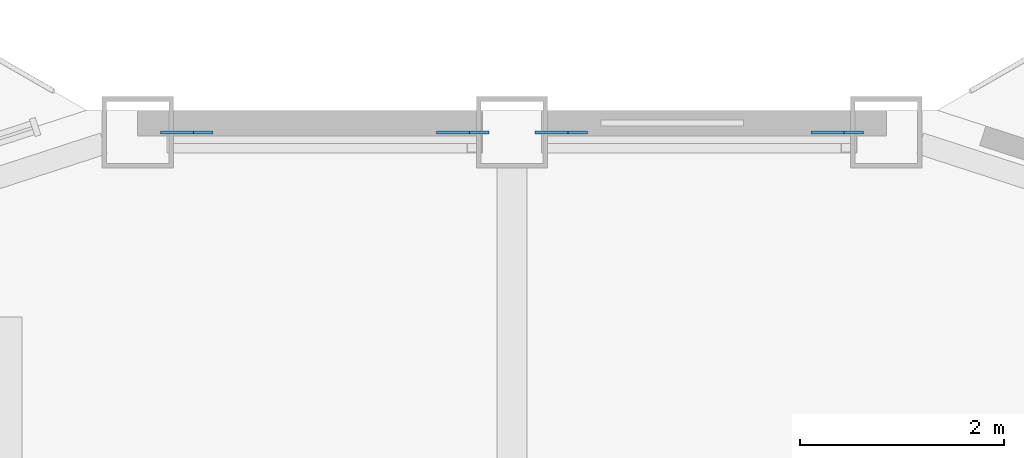
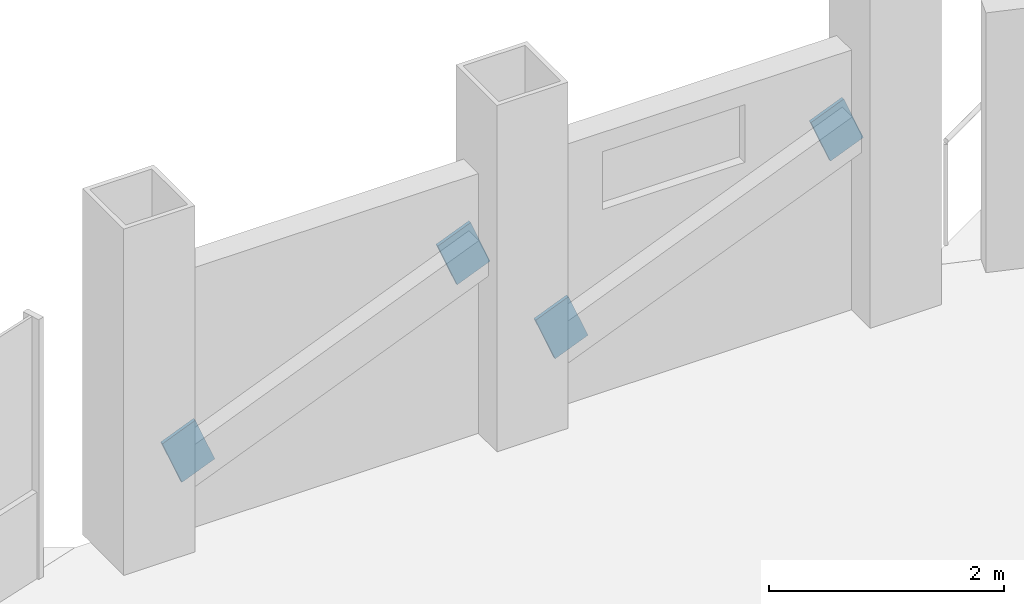
# One storey, part 18 of 23: 4 discrete accessories.
"""IFC4 building model written with IfcOpenShell, lengths in metres."""

from ifc_helpers import new_model, si_unit, direction, frame, origin, origin_2d, place, context, subcontext, project, spatial, rectangle, extrude, material, material_profile, profile_set, type_object, element, save


model = new_model("IFC4")

# Units and contexts
model_context = context("Model", 3, precision=1e-05, world=origin(), true_north=direction((0.0, 1.0)))
body_context = subcontext(model_context, "Body", "Model", "MODEL_VIEW")
ifc_project = project(units=[si_unit("LENGTHUNIT", "METRE"), si_unit("AREAUNIT", "SQUARE_METRE"), si_unit("VOLUMEUNIT", "CUBIC_METRE"), si_unit("PLANEANGLEUNIT", "RADIAN"), si_unit("MASSUNIT", "GRAM", prefix="KILO")], contexts=[model_context])

# Site, building, storey
site_placement = place(None, origin())
site = spatial("IfcSite", under=ifc_project, at=site_placement, CompositionType="ELEMENT")
building_placement = place(site_placement, origin())
building = spatial("IfcBuilding", under=site, at=building_placement, Name="Cormorant Prow Tower", CompositionType="ELEMENT")
storey_placement = place(building_placement, frame((0.0, 0.0, 245.39990234375)))
storey = spatial("IfcBuildingStorey", under=building, at=storey_placement, Name="L54", CompositionType="ELEMENT", Elevation=245.39990234375)

# Discrete accessories
ifc_material = material(Name="Structural steel ASTM A500 Gr C", Category="steel")
ifc_material_profile = material_profile(ifc_material, rectangle(XDim=0.031982421875, YDim=0.506103515625, at=origin_2d()), Name="Gusset plate 32x506")
ifc_profile_set = profile_set([ifc_material_profile], Name="Structural steel ASTM A500 Gr C")
discrete_accessory_type = type_object("IfcDiscreteAccessoryType", Name="Gusset plate 32x506", PredefinedType="BRACKET", material=ifc_profile_set)
discrete_accessory_1_placement = place(storey_placement, frame((0.643310546875, 32.073486328125, 0.863037109375), z_axis=(-0.925757954086, 0.0, -0.378116662483), x_axis=(0.0, -1.0, 0.0)))
element("IfcDiscreteAccessory", 1, at=discrete_accessory_1_placement, inside=storey, type_object=discrete_accessory_type, Name="Gusset plate GP2 L54.N00.g0", PredefinedType="BRACKET", context=body_context, shape_type="SweptSolid", body=[
    extrude(rectangle(XDim=0.031982421875, YDim=0.506103515625, at=origin_2d()), origin(), (0.0, 0.0, 1.0), 0.349853515625),
])
discrete_accessory_2_placement = place(storey_placement, frame((3.027099609375, 32.073486328125, 1.837890625), z_axis=(0.925513623242, 0.0, 0.378714316067), x_axis=(0.0, 1.0, 0.0)))
element("IfcDiscreteAccessory", 2, at=discrete_accessory_2_placement, inside=storey, type_object=discrete_accessory_type, Name="Gusset plate GP2 L54.N00.g1", PredefinedType="BRACKET", context=body_context, shape_type="SweptSolid", body=[
    extrude(rectangle(XDim=0.031982421875, YDim=0.506103515625, at=origin_2d()), origin(), (0.0, 0.0, 1.0), 0.35009765625),
])
discrete_accessory_3_placement = place(storey_placement, frame((-3.027099609375, 32.073486328125, 0.863037109375), z_axis=(-0.925757954086, 0.0, -0.378116662483), x_axis=(0.0, -1.0, 0.0)))
element("IfcDiscreteAccessory", 3, at=discrete_accessory_3_placement, inside=storey, type_object=discrete_accessory_type, Name="Gusset plate GP2 L54.N01.g0", PredefinedType="BRACKET", context=body_context, shape_type="SweptSolid", body=[
    extrude(rectangle(XDim=0.031982421875, YDim=0.506103515625, at=origin_2d()), origin(), (0.0, 0.0, 1.0), 0.349853515625),
])
discrete_accessory_4_placement = place(storey_placement, frame((-0.643310546875, 32.073486328125, 1.837890625), z_axis=(0.925513623242, 0.0, 0.378714316067), x_axis=(0.0, 1.0, 0.0)))
element("IfcDiscreteAccessory", 4, at=discrete_accessory_4_placement, inside=storey, type_object=discrete_accessory_type, Name="Gusset plate GP2 L54.N01.g1", PredefinedType="BRACKET", context=body_context, shape_type="SweptSolid", body=[
    extrude(rectangle(XDim=0.031982421875, YDim=0.506103515625, at=origin_2d()), origin(), (0.0, 0.0, 1.0), 0.35009765625),
])

save(model, "model.ifc")
